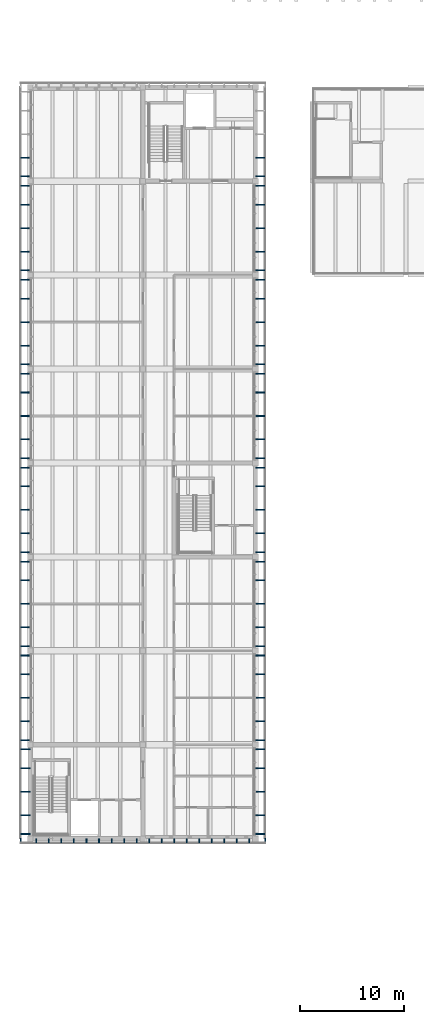
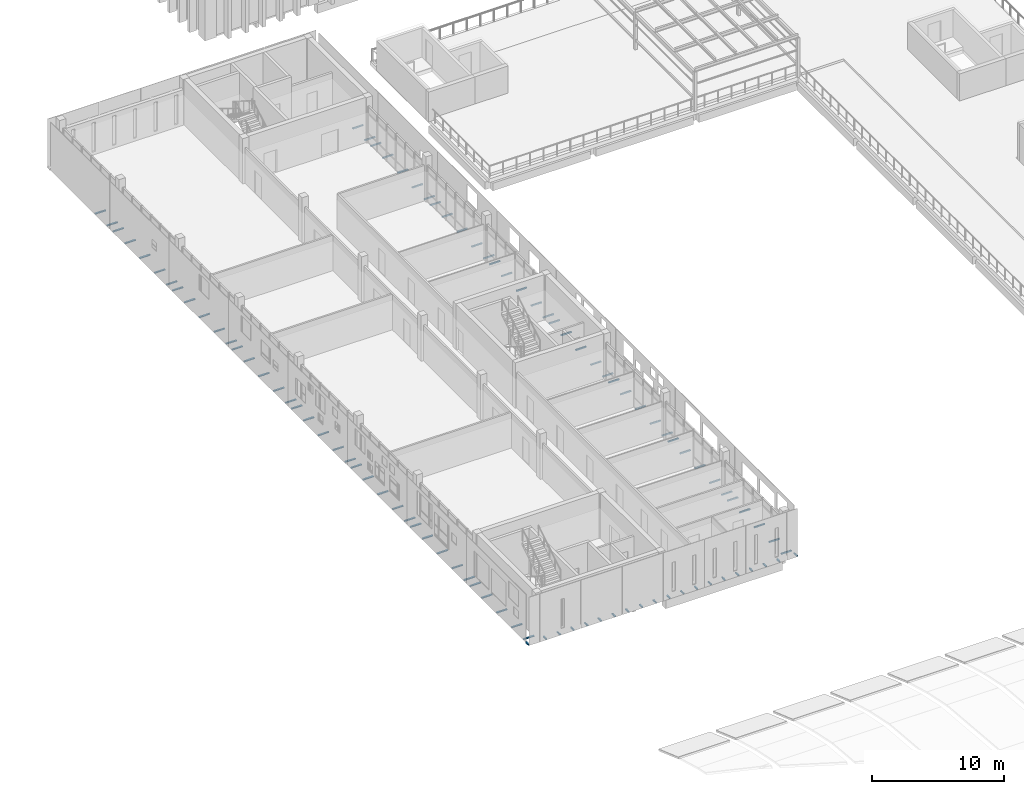
# One storey, part 51 of 74: 94 discrete accessories.
"""IFC4 building model written with IfcOpenShell, lengths in metres."""

import ifcopenshell
import ifcopenshell.guid

model = None  # the IFC model being written
_history = None  # IfcOwnerHistory: only IFC2X3 demands one
_inside = {}  # id of a spatial element -> (the spatial element, [elements in it])
_under = {}  # id of a project, library or spatial element -> (it, [spatial elements below it])
_declared = {}  # id of a project -> (the project, [libraries it declares])
_typed = {}  # id of a type object -> (the type object, [elements of that type])
_made_of = {}  # id of a material, layer set ... -> (it, [elements and type objects made of it])


def new_model(schema):
    """Start an empty IFC model of exactly this schema.

    Asked for "IFC4X3", IfcOpenShell would pick the latest addendum, in which some entities
    have other attributes; the version numbers below select the first issue.
    IFC2X3 requires an IfcOwnerHistory on every rooted entity: one is made here for all.
    """
    global model, _history
    if schema == "IFC4X3":
        model = ifcopenshell.file(schema_version=(4, 3, 0, 0))
    else:
        model = ifcopenshell.file(schema=schema)
    _inside.clear()
    _under.clear()
    _declared.clear()
    _typed.clear()
    _made_of.clear()
    _history = None
    if model.schema == "IFC2X3":
        org = make("IfcOrganization", Name="unknown")
        user = make(
            "IfcPersonAndOrganization",
            ThePerson=make("IfcPerson", FamilyName="unknown"),
            TheOrganization=org,
        )
        app = make(
            "IfcApplication",
            ApplicationDeveloper=org,
            Version="unknown",
            ApplicationFullName="unknown",
            ApplicationIdentifier="unknown",
        )
        _history = make(
            "IfcOwnerHistory",
            OwningUser=user,
            OwningApplication=app,
            ChangeAction="ADDED",
            CreationDate=0,
        )
    return model


def make(cls, **values):
    """One entity of the class cls with the attributes given. An attribute that is None is left unset."""
    return model.create_entity(
        cls, **{name: value for name, value in values.items() if value is not None}
    )


def rooted(cls, **values):
    """An entity with a GlobalId (a new one), such as an element, a storey or a relation."""
    return make(cls, GlobalId=ifcopenshell.guid.new(), OwnerHistory=_history, **values)


def si_unit(unit_type, name, prefix=None):
    """IfcSIUnit, for example si_unit("LENGTHUNIT", "METRE", prefix="MILLI")."""
    return make("IfcSIUnit", UnitType=unit_type, Prefix=prefix, Name=name)


def assignment(units):
    """IfcUnitAssignment: the units of a project."""
    return None if units is None else make("IfcUnitAssignment", Units=units)


def point(xyz):
    """IfcCartesianPoint."""
    return None if xyz is None else make("IfcCartesianPoint", Coordinates=xyz)


def direction(xyz):
    """IfcDirection."""
    return None if xyz is None else make("IfcDirection", DirectionRatios=xyz)


def frame(location, z_axis=None, x_axis=None):
    """IfcAxis2Placement3D, a coordinate frame: its origin and axes. An axis left out is left unset."""
    return make(
        "IfcAxis2Placement3D",
        Location=point(location),
        Axis=direction(z_axis),
        RefDirection=direction(x_axis),
    )


def origin():
    """The frame at (0, 0, 0) with its axes left unset."""
    return frame((0.0, 0.0, 0.0))


def place(relative_to, where):
    """IfcLocalPlacement: puts the frame where relative to a parent placement (None: the world)."""
    return make(
        "IfcLocalPlacement", PlacementRelTo=relative_to, RelativePlacement=where
    )


def context(
    kind, dimensions, precision=None, world=None, true_north=None, identifier=None
):
    """IfcGeometricRepresentationContext, for example the 3D "Model" context."""
    return make(
        "IfcGeometricRepresentationContext",
        ContextIdentifier=identifier,
        ContextType=kind,
        CoordinateSpaceDimension=dimensions,
        Precision=precision,
        WorldCoordinateSystem=world,
        TrueNorth=true_north,
    )


def subcontext(parent, identifier, kind, view, scale=None):
    """IfcGeometricRepresentationSubContext, for example "Body" below "Model"."""
    return make(
        "IfcGeometricRepresentationSubContext",
        ContextIdentifier=identifier,
        ContextType=kind,
        ParentContext=parent,
        TargetScale=scale,
        TargetView=view,
    )


def project(units=None, contexts=None):
    """IfcProject with its units and contexts."""
    return rooted(
        "IfcProject",
        Name="project",
        RepresentationContexts=contexts,
        UnitsInContext=assignment(units),
    )


def spatial(cls, under=None, at=None, **own):
    """A site, building, storey or space (cls), placed at a placement, below another one or the project."""
    s = rooted(cls, ObjectPlacement=at, **own)
    if under is not None:
        _under.setdefault(under.id(), (under, []))[1].append(s)
    return s


def polyline(points):
    """IfcPolyline through the points."""
    return make("IfcPolyline", Points=[point(p) for p in points])


def outline(outer, holes=None, kind="AREA"):
    """IfcArbitraryClosedProfileDef: a profile drawn as a closed curve; with holes, ...WithVoids."""
    if holes is None:
        return make("IfcArbitraryClosedProfileDef", ProfileType=kind, OuterCurve=outer)
    return make(
        "IfcArbitraryProfileDefWithVoids",
        ProfileType=kind,
        OuterCurve=outer,
        InnerCurves=holes,
    )


def extrude(swept, where, along, depth):
    """IfcExtrudedAreaSolid: the profile swept, set in the frame where, extruded along a direction by depth."""
    return make(
        "IfcExtrudedAreaSolid",
        SweptArea=swept,
        Position=where,
        ExtrudedDirection=direction(along),
        Depth=depth,
    )


def shape(context_of_items, identifier, shape_type, items):
    """IfcShapeRepresentation: the items that make up one representation, for example the "Body"."""
    return make(
        "IfcShapeRepresentation",
        ContextOfItems=context_of_items,
        RepresentationIdentifier=identifier,
        RepresentationType=shape_type,
        Items=items,
    )


def source(mapping_origin, context_of_items, identifier, shape_type, items):
    """IfcRepresentationMap: a shape defined once, which mapped items show again and again."""
    return make(
        "IfcRepresentationMap",
        MappingOrigin=mapping_origin,
        MappedRepresentation=shape(context_of_items, identifier, shape_type, items),
    )


def transform(
    local_origin,
    x_axis=None,
    y_axis=None,
    z_axis=None,
    scale=None,
    scale2=None,
    scale3=None,
    uniform=True,
):
    """IfcCartesianTransformationOperator3D, or its non-uniform kind. x_axis, y_axis, z_axis: its Axis1, 2, 3."""
    if uniform:
        return make(
            "IfcCartesianTransformationOperator3D",
            Axis1=direction(x_axis),
            Axis2=direction(y_axis),
            LocalOrigin=point(local_origin),
            Scale=scale,
            Axis3=direction(z_axis),
        )
    return make(
        "IfcCartesianTransformationOperator3DnonUniform",
        Axis1=direction(x_axis),
        Axis2=direction(y_axis),
        LocalOrigin=point(local_origin),
        Scale=scale,
        Axis3=direction(z_axis),
        Scale2=scale2,
        Scale3=scale3,
    )


def mapped(mapping_source, mapping_target):
    """IfcMappedItem: shows the shape of a source again, moved by a transform."""
    return make(
        "IfcMappedItem", MappingSource=mapping_source, MappingTarget=mapping_target
    )


def material(Name=None, Category=None):
    """IfcMaterial."""
    return make("IfcMaterial", Name=Name, Category=Category)


def made_of(thing, what):
    """Note that an element or type object is made of a material, layer set ...; save() writes the relation."""
    if what is not None:
        _made_of.setdefault(what.id(), (what, []))[1].append(thing)
    return thing


def type_object(cls, material=None, **own):
    """A type object (cls), such as IfcWallType, which elements share."""
    return made_of(rooted(cls, **own), material)


def element(
    cls,
    number,
    at=None,
    inside=None,
    cuts=None,
    type_object=None,
    material=None,
    context=None,
    identifier="Body",
    shape_type=None,
    held_by="IfcProductDefinitionShape",
    body=None,
    shapes=None,
    **own,
):
    """One element of the class cls, such as IfcWall. Its Tag is "e" and its number.

    at: its placement. inside: the storey or other place that contains it. cuts: it is an
    opening in that element (IfcRelVoidsElement). A single representation is given by context,
    identifier, shape_type and body (its items); several are given by shapes. held_by: the class
    of the entity that holds the representations. save() writes the other relations.
    """
    e = rooted(cls, Tag="e%d" % number, ObjectPlacement=at, **own)
    if body is not None:
        shapes = [shape(context, identifier, shape_type, body)]
    if shapes is not None:
        e.Representation = make(held_by, Representations=shapes)
    if inside is not None:
        _inside.setdefault(inside.id(), (inside, []))[1].append(e)
    if cuts is not None:
        rooted(
            "IfcRelVoidsElement", RelatingBuildingElement=cuts, RelatedOpeningElement=e
        )
    if type_object is not None:
        _typed.setdefault(type_object.id(), (type_object, []))[1].append(e)
    return made_of(e, material)


def aggregate(whole, parts):
    """IfcRelAggregates: a whole, such as a stair, and the parts it consists of."""
    return rooted("IfcRelAggregates", RelatingObject=whole, RelatedObjects=parts)


def save(model, path):
    """Write the relations noted so far, then the file.

    IfcRelAggregates (storeys below a building ...), IfcRelContainedInSpatialStructure (elements
    in a storey), IfcRelDefinesByType, IfcRelAssociatesMaterial and IfcRelDeclares: one each for
    every whole, place, type object, material and project.
    """
    for whole, parts in _under.values():
        aggregate(whole, parts)
    for where, things in _inside.values():
        rooted(
            "IfcRelContainedInSpatialStructure",
            RelatedElements=things,
            RelatingStructure=where,
        )
    for kind, things in _typed.values():
        rooted("IfcRelDefinesByType", RelatedObjects=things, RelatingType=kind)
    for what, things in _made_of.values():
        rooted("IfcRelAssociatesMaterial", RelatedObjects=things, RelatingMaterial=what)
    for by, libraries in _declared.values():
        rooted("IfcRelDeclares", RelatingContext=by, RelatedDefinitions=libraries)
    model.write(path)


model = new_model("IFC4")

# Units and contexts
model_context = context("Model", 3, precision=1e-05, world=origin(), true_north=direction((0.0, 1.0)))
body_context = subcontext(model_context, "Body", "Model", "MODEL_VIEW")
ifc_project = project(units=[si_unit("LENGTHUNIT", "METRE"), si_unit("AREAUNIT", "SQUARE_METRE"), si_unit("VOLUMEUNIT", "CUBIC_METRE"), si_unit("PLANEANGLEUNIT", "RADIAN"), si_unit("MASSUNIT", "GRAM", prefix="KILO")], contexts=[model_context])

# Site, building, storey
site_placement = place(None, origin())
site = spatial("IfcSite", under=ifc_project, at=site_placement, CompositionType="ELEMENT")
building_placement = place(site_placement, origin())
building = spatial("IfcBuilding", under=site, at=building_placement, Name="Merrow Basin Faculty of Sciences", CompositionType="ELEMENT")
storey_placement = place(building_placement, frame((0.0, 0.0, 13.5)))
storey = spatial("IfcBuildingStorey", under=building, at=storey_placement, Name="L03", CompositionType="ELEMENT", Elevation=13.5)

# Discrete accessories
ifc_material_1 = material(Name="Steel ASTM A572 Gr 50", Category="steel")
discrete_accessory_type_1 = type_object("IfcDiscreteAccessoryType", Name="Steel T bracket 100 x 80", PredefinedType="BRACKET", material=ifc_material_1)
shared_shape_1 = source(origin(), body_context, "Body", "SweptSolid", [
    extrude(outline(polyline([(0.0, 0.0), (0.10009765625, 0.0), (0.10009765625, 0.080078125), (0.0, 0.080078125), (0.0, 0.0)])), origin(), (0.0, 0.0, 1.0), 0.89990234375),
])
for number, where, z_axis, x_axis, name in (
    (1, (-0.89990234375, 61.39990234375, -0.2900390625), (1.0, 0.0, 0.0), (0.0, 1.0, 0.0), "Bracket WL03-01"),
    (2, (-0.89990234375, 63.199951171875, -0.2900390625), (1.0, 0.0, 0.0), (0.0, 1.0, 0.0), "Bracket WL03-01"),
    (3, (-0.89990234375, 65.449951171875, -0.2900390625), (1.0, 0.0, 0.0), (0.0, 1.0, 0.0), "Bracket WL03-01"),
    (4, (-0.89990234375, 67.699951171875, -0.2900390625), (1.0, 0.0, 0.0), (0.0, 1.0, 0.0), "Bracket WL03-01"),
    (5, (-0.89990234375, 69.5, -0.2900390625), (1.0, 0.0, 0.0), (0.0, 1.0, 0.0), "Bracket WL03-01"),
    (6, (22.5, 69.60009765625, -0.2900390625), (-1.0, 0.0, 0.0), (0.0, -1.0, 0.0), "Bracket EL03-01"),
    (7, (22.5, 67.800048828125, -0.2900390625), (-1.0, 0.0, 0.0), (0.0, -1.0, 0.0), "Bracket EL03-01"),
    (8, (22.5, 65.550048828125, -0.2900390625), (-1.0, 0.0, 0.0), (0.0, -1.0, 0.0), "Bracket EL03-01"),
    (9, (22.5, 63.300048828125, -0.2900390625), (-1.0, 0.0, 0.0), (0.0, -1.0, 0.0), "Bracket EL03-01"),
    (10, (22.5, 61.5, -0.2900390625), (-1.0, 0.0, 0.0), (0.0, -1.0, 0.0), "Bracket EL03-01"),
    (11, (-0.89990234375, 70.39990234375, -0.2900390625), (1.0, 0.0, 0.0), (0.0, 1.0, 0.0), "Bracket WL03-02"),
    (12, (-0.89990234375, 72.199951171875, -0.2900390625), (1.0, 0.0, 0.0), (0.0, 1.0, 0.0), "Bracket WL03-02"),
    (13, (-0.89990234375, 74.449951171875, -0.2900390625), (1.0, 0.0, 0.0), (0.0, 1.0, 0.0), "Bracket WL03-02"),
    (14, (-0.89990234375, 76.699951171875, -0.2900390625), (1.0, 0.0, 0.0), (0.0, 1.0, 0.0), "Bracket WL03-02"),
    (15, (-0.89990234375, 78.5, -0.2900390625), (1.0, 0.0, 0.0), (0.0, 1.0, 0.0), "Bracket WL03-02"),
    (16, (22.5, 78.60009765625, -0.2900390625), (-1.0, 0.0, 0.0), (0.0, -1.0, 0.0), "Bracket EL03-02"),
    (17, (22.5, 76.800048828125, -0.2900390625), (-1.0, 0.0, 0.0), (0.0, -1.0, 0.0), "Bracket EL03-02"),
    (18, (22.5, 74.550048828125, -0.2900390625), (-1.0, 0.0, 0.0), (0.0, -1.0, 0.0), "Bracket EL03-02"),
    (19, (22.5, 72.300048828125, -0.2900390625), (-1.0, 0.0, 0.0), (0.0, -1.0, 0.0), "Bracket EL03-02"),
    (20, (22.5, 70.5, -0.2900390625), (-1.0, 0.0, 0.0), (0.0, -1.0, 0.0), "Bracket EL03-02"),
    (21, (-0.89990234375, 79.39990234375, -0.2900390625), (1.0, 0.0, 0.0), (0.0, 1.0, 0.0), "Bracket WL03-03"),
    (22, (-0.89990234375, 81.199951171875, -0.2900390625), (1.0, 0.0, 0.0), (0.0, 1.0, 0.0), "Bracket WL03-03"),
    (23, (-0.89990234375, 83.449951171875, -0.2900390625), (1.0, 0.0, 0.0), (0.0, 1.0, 0.0), "Bracket WL03-03"),
    (24, (-0.89990234375, 85.699951171875, -0.2900390625), (1.0, 0.0, 0.0), (0.0, 1.0, 0.0), "Bracket WL03-03"),
    (25, (-0.89990234375, 87.5, -0.2900390625), (1.0, 0.0, 0.0), (0.0, 1.0, 0.0), "Bracket WL03-03"),
    (26, (22.5, 87.60009765625, -0.2900390625), (-1.0, 0.0, 0.0), (0.0, -1.0, 0.0), "Bracket EL03-03"),
    (27, (22.5, 85.800048828125, -0.2900390625), (-1.0, 0.0, 0.0), (0.0, -1.0, 0.0), "Bracket EL03-03"),
    (28, (22.5, 83.550048828125, -0.2900390625), (-1.0, 0.0, 0.0), (0.0, -1.0, 0.0), "Bracket EL03-03"),
    (29, (22.5, 81.300048828125, -0.2900390625), (-1.0, 0.0, 0.0), (0.0, -1.0, 0.0), "Bracket EL03-03"),
    (30, (22.5, 79.5, -0.2900390625), (-1.0, 0.0, 0.0), (0.0, -1.0, 0.0), "Bracket EL03-03"),
    (31, (-0.89990234375, 88.39990234375, -0.2900390625), (1.0, 0.0, 0.0), (0.0, 1.0, 0.0), "Bracket WL03-04"),
    (32, (-0.89990234375, 90.199951171875, -0.2900390625), (1.0, 0.0, 0.0), (0.0, 1.0, 0.0), "Bracket WL03-04"),
    (33, (-0.89990234375, 92.449951171875, -0.2900390625), (1.0, 0.0, 0.0), (0.0, 1.0, 0.0), "Bracket WL03-04"),
    (34, (-0.89990234375, 94.699951171875, -0.2900390625), (1.0, 0.0, 0.0), (0.0, 1.0, 0.0), "Bracket WL03-04"),
    (35, (-0.89990234375, 96.5, -0.2900390625), (1.0, 0.0, 0.0), (0.0, 1.0, 0.0), "Bracket WL03-04"),
    (36, (22.5, 96.60009765625, -0.2900390625), (-1.0, 0.0, 0.0), (0.0, -1.0, 0.0), "Bracket EL03-04"),
    (37, (22.5, 94.800048828125, -0.2900390625), (-1.0, 0.0, 0.0), (0.0, -1.0, 0.0), "Bracket EL03-04"),
    (38, (22.5, 92.550048828125, -0.2900390625), (-1.0, 0.0, 0.0), (0.0, -1.0, 0.0), "Bracket EL03-04"),
    (39, (22.5, 90.300048828125, -0.2900390625), (-1.0, 0.0, 0.0), (0.0, -1.0, 0.0), "Bracket EL03-04"),
    (40, (22.5, 88.5, -0.2900390625), (-1.0, 0.0, 0.0), (0.0, -1.0, 0.0), "Bracket EL03-04"),
    (41, (-0.89990234375, 97.39990234375, -0.2900390625), (1.0, 0.0, 0.0), (0.0, 1.0, 0.0), "Bracket WL03-05"),
    (42, (-0.89990234375, 99.199951171875, -0.2900390625), (1.0, 0.0, 0.0), (0.0, 1.0, 0.0), "Bracket WL03-05"),
    (43, (-0.89990234375, 101.449951171875, -0.2900390625), (1.0, 0.0, 0.0), (0.0, 1.0, 0.0), "Bracket WL03-05"),
    (44, (-0.89990234375, 103.699951171875, -0.2900390625), (1.0, 0.0, 0.0), (0.0, 1.0, 0.0), "Bracket WL03-05"),
    (45, (-0.89990234375, 105.5, -0.2900390625), (1.0, 0.0, 0.0), (0.0, 1.0, 0.0), "Bracket WL03-05"),
    (46, (22.5, 105.60009765625, -0.2900390625), (-1.0, 0.0, 0.0), (0.0, -1.0, 0.0), "Bracket EL03-05"),
    (47, (22.5, 103.800048828125, -0.2900390625), (-1.0, 0.0, 0.0), (0.0, -1.0, 0.0), "Bracket EL03-05"),
    (48, (22.5, 101.550048828125, -0.2900390625), (-1.0, 0.0, 0.0), (0.0, -1.0, 0.0), "Bracket EL03-05"),
    (49, (22.5, 99.300048828125, -0.2900390625), (-1.0, 0.0, 0.0), (0.0, -1.0, 0.0), "Bracket EL03-05"),
    (50, (22.5, 97.5, -0.2900390625), (-1.0, 0.0, 0.0), (0.0, -1.0, 0.0), "Bracket EL03-05"),
    (51, (-0.89990234375, 106.39990234375, -0.2900390625), (1.0, 0.0, 0.0), (0.0, 1.0, 0.0), "Bracket WL03-06"),
    (52, (-0.89990234375, 108.199951171875, -0.2900390625), (1.0, 0.0, 0.0), (0.0, 1.0, 0.0), "Bracket WL03-06"),
    (53, (-0.89990234375, 110.449951171875, -0.2900390625), (1.0, 0.0, 0.0), (0.0, 1.0, 0.0), "Bracket WL03-06"),
    (54, (-0.89990234375, 112.699951171875, -0.2900390625), (1.0, 0.0, 0.0), (0.0, 1.0, 0.0), "Bracket WL03-06"),
    (55, (-0.89990234375, 114.5, -0.2900390625), (1.0, 0.0, 0.0), (0.0, 1.0, 0.0), "Bracket WL03-06"),
    (56, (22.5, 114.60009765625, -0.2900390625), (-1.0, 0.0, 0.0), (0.0, -1.0, 0.0), "Bracket EL03-06"),
    (57, (22.5, 112.800048828125, -0.2900390625), (-1.0, 0.0, 0.0), (0.0, -1.0, 0.0), "Bracket EL03-06"),
    (58, (22.5, 110.550048828125, -0.2900390625), (-1.0, 0.0, 0.0), (0.0, -1.0, 0.0), "Bracket EL03-06"),
    (59, (22.5, 108.300048828125, -0.2900390625), (-1.0, 0.0, 0.0), (0.0, -1.0, 0.0), "Bracket EL03-06"),
    (60, (22.5, 106.5, -0.2900390625), (-1.0, 0.0, 0.0), (0.0, -1.0, 0.0), "Bracket EL03-06"),
    (61, (-0.89990234375, 115.39990234375, -0.2900390625), (1.0, 0.0, 0.0), (0.0, 1.0, 0.0), "Bracket WL03-07"),
    (62, (-0.89990234375, 117.199951171875, -0.2900390625), (1.0, 0.0, 0.0), (0.0, 1.0, 0.0), "Bracket WL03-07"),
    (63, (-0.89990234375, 119.449951171875, -0.2900390625), (1.0, 0.0, 0.0), (0.0, 1.0, 0.0), "Bracket WL03-07"),
    (64, (-0.89990234375, 121.699951171875, -0.2900390625), (1.0, 0.0, 0.0), (0.0, 1.0, 0.0), "Bracket WL03-07"),
    (65, (-0.89990234375, 123.5, -0.2900390625), (1.0, 0.0, 0.0), (0.0, 1.0, 0.0), "Bracket WL03-07"),
    (66, (22.5, 123.60009765625, -0.2900390625), (-1.0, 0.0, 0.0), (0.0, -1.0, 0.0), "Bracket EL03-07"),
    (67, (22.5, 121.800048828125, -0.2900390625), (-1.0, 0.0, 0.0), (0.0, -1.0, 0.0), "Bracket EL03-07"),
    (68, (22.5, 119.550048828125, -0.2900390625), (-1.0, 0.0, 0.0), (0.0, -1.0, 0.0), "Bracket EL03-07"),
    (69, (22.5, 117.300048828125, -0.2900390625), (-1.0, 0.0, 0.0), (0.0, -1.0, 0.0), "Bracket EL03-07"),
    (70, (22.5, 115.5, -0.2900390625), (-1.0, 0.0, 0.0), (0.0, -1.0, 0.0), "Bracket EL03-07"),
    (71, (-0.89990234375, 124.39990234375, -0.2900390625), (1.0, 0.0, 0.0), (0.0, 1.0, 0.0), "Bracket WL03-08"),
    (72, (-0.89990234375, 126.199951171875, -0.2900390625), (1.0, 0.0, 0.0), (0.0, 1.0, 0.0), "Bracket WL03-08"),
    (73, (22.5, 126.300048828125, -0.2900390625), (-1.0, 0.0, 0.0), (0.0, -1.0, 0.0), "Bracket EL03-08"),
    (74, (22.5, 124.5, -0.2900390625), (-1.0, 0.0, 0.0), (0.0, -1.0, 0.0), "Bracket EL03-08"),
):
    element("IfcDiscreteAccessory", number, at=place(storey_placement, frame(where, z_axis=z_axis, x_axis=x_axis)), inside=storey, type_object=discrete_accessory_type_1, Name=name, PredefinedType="BRACKET", context=body_context, shape_type="MappedRepresentation", body=[
        mapped(shared_shape_1, transform((0.0, 0.0, 0.0), scale=1.0)),
    ])
ifc_material_2 = material(Name="Steel ASTM A572 Gr 50", Category="steel")
discrete_accessory_type_2 = type_object("IfcDiscreteAccessoryType", Name="Steel T bracket 100 x 80 corner", PredefinedType="BRACKET", material=ifc_material_2)
shared_shape_2 = source(origin(), body_context, "Body", "SweptSolid", [
    extrude(outline(polyline([(0.0, 0.0), (0.10009765625, 0.0), (0.10009765625, 0.080078125), (0.0, 0.080078125), (0.0, 0.0)])), origin(), (0.0, 0.0, 1.0), 0.419921875),
])
for number, where, z_axis, x_axis, name in (
    (75, (-0.8701171875, 60.60009765625, -0.2900390625), (0.0, 1.0, 0.0), (-1.0, 0.0, 0.0), "End corner bracket SL03-01"),
    (76, (22.570068359375, 60.60009765625, -0.2900390625), (0.0, 1.0, 0.0), (-1.0, 0.0, 0.0), "End corner bracket SL03-08"),
):
    element("IfcDiscreteAccessory", number, at=place(storey_placement, frame(where, z_axis=z_axis, x_axis=x_axis)), inside=storey, type_object=discrete_accessory_type_2, Name=name, PredefinedType="BRACKET", context=body_context, shape_type="MappedRepresentation", body=[
        mapped(shared_shape_2, transform((0.0, 0.0, 0.0), scale=1.0)),
    ])
ifc_material_3 = material(Name="Steel ASTM A572 Gr 50", Category="steel")
discrete_accessory_type_3 = type_object("IfcDiscreteAccessoryType", Name="Steel T bracket 100 x 80 short", PredefinedType="BRACKET", material=ifc_material_3)
shared_shape_3 = source(origin(), body_context, "Body", "SweptSolid", [
    extrude(outline(polyline([(0.0, 0.0), (0.10009765625, 0.0), (0.10009765625, 0.080078125), (0.0, 0.080078125), (0.0, 0.0)])), origin(), (0.0, 0.0, 1.0), 0.39990234375),
])
for number, where, z_axis, x_axis, name in (
    (77, (0.64990234375, 60.60009765625, -0.2900390625), (0.0, 1.0, 0.0), (-1.0, 0.0, 0.0), "End bracket SL03-02-1"),
    (78, (1.85009765625, 60.60009765625, -0.2900390625), (0.0, 1.0, 0.0), (-1.0, 0.0, 0.0), "End bracket SL03-02-2"),
    (79, (3.050048828125, 60.60009765625, -0.2900390625), (0.0, 1.0, 0.0), (-1.0, 0.0, 0.0), "End bracket SL03-02-3"),
    (80, (4.25, 60.60009765625, -0.2900390625), (0.0, 1.0, 0.0), (-1.0, 0.0, 0.0), "End bracket SL03-03-1"),
    (81, (5.449951171875, 60.60009765625, -0.2900390625), (0.0, 1.0, 0.0), (-1.0, 0.0, 0.0), "End bracket SL03-03-2"),
    (82, (6.64990234375, 60.60009765625, -0.2900390625), (0.0, 1.0, 0.0), (-1.0, 0.0, 0.0), "End bracket SL03-03-3"),
    (83, (7.85009765625, 60.60009765625, -0.2900390625), (0.0, 1.0, 0.0), (-1.0, 0.0, 0.0), "End bracket SL03-04-1"),
    (84, (9.050048828125, 60.60009765625, -0.2900390625), (0.0, 1.0, 0.0), (-1.0, 0.0, 0.0), "End bracket SL03-04-2"),
    (85, (10.25, 60.60009765625, -0.2900390625), (0.0, 1.0, 0.0), (-1.0, 0.0, 0.0), "End bracket SL03-04-3"),
    (86, (11.449951171875, 60.60009765625, -0.2900390625), (0.0, 1.0, 0.0), (-1.0, 0.0, 0.0), "End bracket SL03-05-1"),
    (87, (12.64990234375, 60.60009765625, -0.2900390625), (0.0, 1.0, 0.0), (-1.0, 0.0, 0.0), "End bracket SL03-05-2"),
    (88, (13.85009765625, 60.60009765625, -0.2900390625), (0.0, 1.0, 0.0), (-1.0, 0.0, 0.0), "End bracket SL03-05-3"),
    (89, (15.050048828125, 60.60009765625, -0.2900390625), (0.0, 1.0, 0.0), (-1.0, 0.0, 0.0), "End bracket SL03-06-1"),
    (90, (16.25, 60.60009765625, -0.2900390625), (0.0, 1.0, 0.0), (-1.0, 0.0, 0.0), "End bracket SL03-06-2"),
    (91, (17.449951171875, 60.60009765625, -0.2900390625), (0.0, 1.0, 0.0), (-1.0, 0.0, 0.0), "End bracket SL03-06-3"),
    (92, (18.64990234375, 60.60009765625, -0.2900390625), (0.0, 1.0, 0.0), (-1.0, 0.0, 0.0), "End bracket SL03-07-1"),
    (93, (19.85009765625, 60.60009765625, -0.2900390625), (0.0, 1.0, 0.0), (-1.0, 0.0, 0.0), "End bracket SL03-07-2"),
    (94, (21.050048828125, 60.60009765625, -0.2900390625), (0.0, 1.0, 0.0), (-1.0, 0.0, 0.0), "End bracket SL03-07-3"),
):
    element("IfcDiscreteAccessory", number, at=place(storey_placement, frame(where, z_axis=z_axis, x_axis=x_axis)), inside=storey, type_object=discrete_accessory_type_3, Name=name, PredefinedType="BRACKET", context=body_context, shape_type="MappedRepresentation", body=[
        mapped(shared_shape_3, transform((0.0, 0.0, 0.0), scale=1.0)),
    ])

save(model, "model.ifc")
